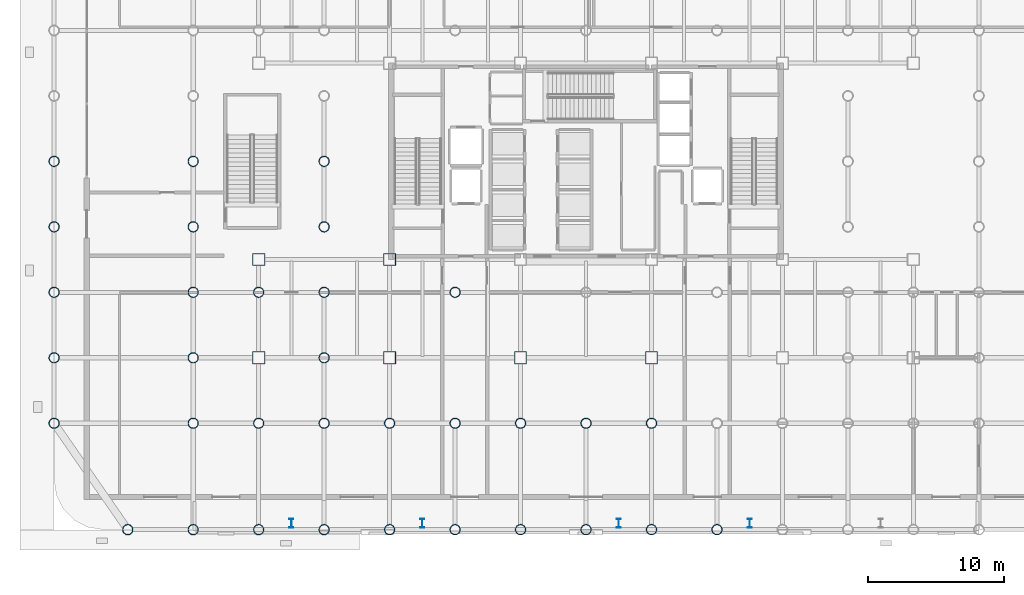
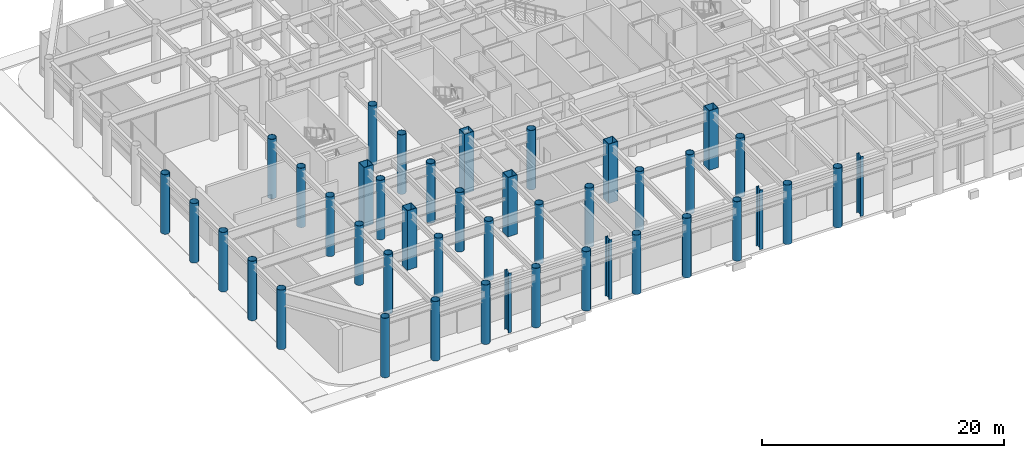
# One storey, part 2 of 23: 43 columns.
"""IFC4 building model written with IfcOpenShell, lengths in metres."""

import ifcopenshell
import ifcopenshell.guid

model = None  # the IFC model being written
_history = None  # IfcOwnerHistory: only IFC2X3 demands one
_inside = {}  # id of a spatial element -> (the spatial element, [elements in it])
_under = {}  # id of a project, library or spatial element -> (it, [spatial elements below it])
_declared = {}  # id of a project -> (the project, [libraries it declares])
_typed = {}  # id of a type object -> (the type object, [elements of that type])
_made_of = {}  # id of a material, layer set ... -> (it, [elements and type objects made of it])


def new_model(schema):
    """Start an empty IFC model of exactly this schema.

    Asked for "IFC4X3", IfcOpenShell would pick the latest addendum, in which some entities
    have other attributes; the version numbers below select the first issue.
    IFC2X3 requires an IfcOwnerHistory on every rooted entity: one is made here for all.
    """
    global model, _history
    if schema == "IFC4X3":
        model = ifcopenshell.file(schema_version=(4, 3, 0, 0))
    else:
        model = ifcopenshell.file(schema=schema)
    _inside.clear()
    _under.clear()
    _declared.clear()
    _typed.clear()
    _made_of.clear()
    _history = None
    if model.schema == "IFC2X3":
        org = make("IfcOrganization", Name="unknown")
        user = make(
            "IfcPersonAndOrganization",
            ThePerson=make("IfcPerson", FamilyName="unknown"),
            TheOrganization=org,
        )
        app = make(
            "IfcApplication",
            ApplicationDeveloper=org,
            Version="unknown",
            ApplicationFullName="unknown",
            ApplicationIdentifier="unknown",
        )
        _history = make(
            "IfcOwnerHistory",
            OwningUser=user,
            OwningApplication=app,
            ChangeAction="ADDED",
            CreationDate=0,
        )
    return model


def make(cls, **values):
    """One entity of the class cls with the attributes given. An attribute that is None is left unset."""
    return model.create_entity(
        cls, **{name: value for name, value in values.items() if value is not None}
    )


def rooted(cls, **values):
    """An entity with a GlobalId (a new one), such as an element, a storey or a relation."""
    return make(cls, GlobalId=ifcopenshell.guid.new(), OwnerHistory=_history, **values)


def si_unit(unit_type, name, prefix=None):
    """IfcSIUnit, for example si_unit("LENGTHUNIT", "METRE", prefix="MILLI")."""
    return make("IfcSIUnit", UnitType=unit_type, Prefix=prefix, Name=name)


def assignment(units):
    """IfcUnitAssignment: the units of a project."""
    return None if units is None else make("IfcUnitAssignment", Units=units)


def point(xyz):
    """IfcCartesianPoint."""
    return None if xyz is None else make("IfcCartesianPoint", Coordinates=xyz)


def direction(xyz):
    """IfcDirection."""
    return None if xyz is None else make("IfcDirection", DirectionRatios=xyz)


def frame(location, z_axis=None, x_axis=None):
    """IfcAxis2Placement3D, a coordinate frame: its origin and axes. An axis left out is left unset."""
    return make(
        "IfcAxis2Placement3D",
        Location=point(location),
        Axis=direction(z_axis),
        RefDirection=direction(x_axis),
    )


def frame_2d(location, x_axis=None):
    """IfcAxis2Placement2D, a coordinate frame in the plane: its origin and x axis."""
    return make(
        "IfcAxis2Placement2D", Location=point(location), RefDirection=direction(x_axis)
    )


def origin():
    """The frame at (0, 0, 0) with its axes left unset."""
    return frame((0.0, 0.0, 0.0))


def origin_2d():
    """The frame at (0, 0) in the plane with its x axis left unset."""
    return frame_2d((0.0, 0.0))


def place(relative_to, where):
    """IfcLocalPlacement: puts the frame where relative to a parent placement (None: the world)."""
    return make(
        "IfcLocalPlacement", PlacementRelTo=relative_to, RelativePlacement=where
    )


def context(
    kind, dimensions, precision=None, world=None, true_north=None, identifier=None
):
    """IfcGeometricRepresentationContext, for example the 3D "Model" context."""
    return make(
        "IfcGeometricRepresentationContext",
        ContextIdentifier=identifier,
        ContextType=kind,
        CoordinateSpaceDimension=dimensions,
        Precision=precision,
        WorldCoordinateSystem=world,
        TrueNorth=true_north,
    )


def subcontext(parent, identifier, kind, view, scale=None):
    """IfcGeometricRepresentationSubContext, for example "Body" below "Model"."""
    return make(
        "IfcGeometricRepresentationSubContext",
        ContextIdentifier=identifier,
        ContextType=kind,
        ParentContext=parent,
        TargetScale=scale,
        TargetView=view,
    )


def project(units=None, contexts=None):
    """IfcProject with its units and contexts."""
    return rooted(
        "IfcProject",
        Name="project",
        RepresentationContexts=contexts,
        UnitsInContext=assignment(units),
    )


def spatial(cls, under=None, at=None, **own):
    """A site, building, storey or space (cls), placed at a placement, below another one or the project."""
    s = rooted(cls, ObjectPlacement=at, **own)
    if under is not None:
        _under.setdefault(under.id(), (under, []))[1].append(s)
    return s


def profile(cls, at=None, kind="AREA", **sizes):
    """A parametric profile (cls). Its sizes go by their IFC names, for example OverallWidth=200.0."""
    return make(cls, ProfileType=kind, Position=at, **sizes)


def hollow_rectangle(**sizes):
    """IfcRectangleHollowProfileDef."""
    return profile("IfcRectangleHollowProfileDef", **sizes)


def hollow_circle(**sizes):
    """IfcCircleHollowProfileDef."""
    return profile("IfcCircleHollowProfileDef", **sizes)


def i_section(**sizes):
    """IfcIShapeProfileDef."""
    return profile("IfcIShapeProfileDef", **sizes)


def extrude(swept, where, along, depth):
    """IfcExtrudedAreaSolid: the profile swept, set in the frame where, extruded along a direction by depth."""
    return make(
        "IfcExtrudedAreaSolid",
        SweptArea=swept,
        Position=where,
        ExtrudedDirection=direction(along),
        Depth=depth,
    )


def shape(context_of_items, identifier, shape_type, items):
    """IfcShapeRepresentation: the items that make up one representation, for example the "Body"."""
    return make(
        "IfcShapeRepresentation",
        ContextOfItems=context_of_items,
        RepresentationIdentifier=identifier,
        RepresentationType=shape_type,
        Items=items,
    )


def material(Name=None, Category=None):
    """IfcMaterial."""
    return make("IfcMaterial", Name=Name, Category=Category)


def material_profile(
    of_material, cross_section, Name=None, Category=None, Priority=None
):
    """IfcMaterialProfile: a cross section and its material."""
    return make(
        "IfcMaterialProfile",
        Name=Name,
        Material=of_material,
        Profile=cross_section,
        Priority=Priority,
        Category=Category,
    )


def profile_set(profiles, Name=None, composite=None):
    """IfcMaterialProfileSet."""
    return make(
        "IfcMaterialProfileSet",
        Name=Name,
        MaterialProfiles=profiles,
        CompositeProfile=composite,
    )


def made_of(thing, what):
    """Note that an element or type object is made of a material, layer set ...; save() writes the relation."""
    if what is not None:
        _made_of.setdefault(what.id(), (what, []))[1].append(thing)
    return thing


def type_object(cls, material=None, **own):
    """A type object (cls), such as IfcWallType, which elements share."""
    return made_of(rooted(cls, **own), material)


def element(
    cls,
    number,
    at=None,
    inside=None,
    cuts=None,
    type_object=None,
    material=None,
    context=None,
    identifier="Body",
    shape_type=None,
    held_by="IfcProductDefinitionShape",
    body=None,
    shapes=None,
    **own,
):
    """One element of the class cls, such as IfcWall. Its Tag is "e" and its number.

    at: its placement. inside: the storey or other place that contains it. cuts: it is an
    opening in that element (IfcRelVoidsElement). A single representation is given by context,
    identifier, shape_type and body (its items); several are given by shapes. held_by: the class
    of the entity that holds the representations. save() writes the other relations.
    """
    e = rooted(cls, Tag="e%d" % number, ObjectPlacement=at, **own)
    if body is not None:
        shapes = [shape(context, identifier, shape_type, body)]
    if shapes is not None:
        e.Representation = make(held_by, Representations=shapes)
    if inside is not None:
        _inside.setdefault(inside.id(), (inside, []))[1].append(e)
    if cuts is not None:
        rooted(
            "IfcRelVoidsElement", RelatingBuildingElement=cuts, RelatedOpeningElement=e
        )
    if type_object is not None:
        _typed.setdefault(type_object.id(), (type_object, []))[1].append(e)
    return made_of(e, material)


def aggregate(whole, parts):
    """IfcRelAggregates: a whole, such as a stair, and the parts it consists of."""
    return rooted("IfcRelAggregates", RelatingObject=whole, RelatedObjects=parts)


def save(model, path):
    """Write the relations noted so far, then the file.

    IfcRelAggregates (storeys below a building ...), IfcRelContainedInSpatialStructure (elements
    in a storey), IfcRelDefinesByType, IfcRelAssociatesMaterial and IfcRelDeclares: one each for
    every whole, place, type object, material and project.
    """
    for whole, parts in _under.values():
        aggregate(whole, parts)
    for where, things in _inside.values():
        rooted(
            "IfcRelContainedInSpatialStructure",
            RelatedElements=things,
            RelatingStructure=where,
        )
    for kind, things in _typed.values():
        rooted("IfcRelDefinesByType", RelatedObjects=things, RelatingType=kind)
    for what, things in _made_of.values():
        rooted("IfcRelAssociatesMaterial", RelatedObjects=things, RelatingMaterial=what)
    for by, libraries in _declared.values():
        rooted("IfcRelDeclares", RelatingContext=by, RelatedDefinitions=libraries)
    model.write(path)


model = new_model("IFC4")

# Units and contexts
model_context = context("Model", 3, precision=1e-05, world=origin(), true_north=direction((0.0, 1.0)))
body_context = subcontext(model_context, "Body", "Model", "MODEL_VIEW")
ifc_project = project(units=[si_unit("LENGTHUNIT", "METRE"), si_unit("AREAUNIT", "SQUARE_METRE"), si_unit("VOLUMEUNIT", "CUBIC_METRE"), si_unit("PLANEANGLEUNIT", "RADIAN"), si_unit("MASSUNIT", "GRAM", prefix="KILO")], contexts=[model_context])

# Site, building, storey
site_placement = place(None, origin())
site = spatial("IfcSite", under=ifc_project, at=site_placement, CompositionType="ELEMENT")
building_placement = place(site_placement, origin())
building = spatial("IfcBuilding", under=site, at=building_placement, Name="Kallvorn Hotel Tower", CompositionType="ELEMENT")
storey_placement = place(building_placement, origin())
storey = spatial("IfcBuildingStorey", under=building, at=storey_placement, Name="L00", CompositionType="ELEMENT", Elevation=0.0)

# Columns
ifc_material_1 = material(Name="Structural steel S355J2H", Category="steel")
ifc_material_profile_1 = material_profile(ifc_material_1, hollow_circle(Radius=0.381103515625, WallThickness=0.031982421875, at=origin_2d()), Name="CHS 762x32")
ifc_profile_set_1 = profile_set([ifc_material_profile_1], Name="Structural steel S355J2H")
column_type_1 = type_object("IfcColumnType", Name="COL_CHS_762", PredefinedType="COLUMN", material=ifc_profile_set_1)
for number, where, z_axis, x_axis, name in (
    (1, (-39.0, -19.199951171875, 0.0), (0.0, 0.0, 1.0), (1.0, 0.0, 0.0), "L00 Exoskeleton Column EC01"),
    (2, (-39.0, -14.39990234375, 0.0), (0.0, 0.0, 1.0), (1.0, 0.0, 0.0), "L00 Exoskeleton Column EC02"),
    (3, (-39.0, -9.60009765625, 0.0), (0.0, 0.0, 1.0), (1.0, 0.0, 0.0), "L00 Exoskeleton Column EC03"),
    (4, (-39.0, -4.800048828125, 0.0), (0.0, 0.0, 1.0), (1.0, 0.0, 0.0), "L00 Exoskeleton Column EC04"),
    (5, (-39.0, 0.0, 0.0), (0.0, 0.0, 1.0), (1.0, 0.0, 0.0), "L00 Exoskeleton Column EC05"),
    (6, (-33.60009765625, -27.0, 0.0), (0.0, 0.0, 1.0), (1.0, 0.0, 0.0), "L00 Exoskeleton Column EC10"),
    (7, (-28.800048828125, -27.0, 0.0), (0.0, 0.0, 1.0), (1.0, 0.0, 0.0), "L00 Exoskeleton Column EC12"),
    (8, (-28.800048828125, -19.199951171875, 0.0), (0.0, 0.0, 1.0), (1.0, 0.0, 0.0), "L00 Exoskeleton Column EC13"),
    (9, (-28.800048828125, -14.39990234375, 0.0), (0.0, 0.0, 1.0), (1.0, 0.0, 0.0), "L00 Exoskeleton Column EC14"),
    (10, (-28.800048828125, -9.60009765625, 0.0), (0.0, 0.0, 1.0), (1.0, 0.0, 0.0), "L00 Exoskeleton Column EC15"),
    (11, (-28.800048828125, -4.800048828125, 0.0), (0.0, 0.0, 1.0), (1.0, 0.0, 0.0), "L00 Exoskeleton Column EC16"),
    (12, (-28.800048828125, 0.0, 0.0), (0.0, 0.0, 1.0), (1.0, 0.0, 0.0), "L00 Exoskeleton Column EC17"),
    (13, (-24.0, -27.0, 0.0), (0.0, 0.0, 1.0), (1.0, 0.0, 0.0), "L00 Exoskeleton Column EC23"),
    (14, (-24.0, -19.199951171875, 0.0), (0.0, 0.0, 1.0), (1.0, 0.0, 0.0), "L00 Exoskeleton Column EC24"),
    (15, (-24.0, -9.60009765625, 0.0), (0.0, 0.0, 1.0), (1.0, 0.0, 0.0), "L00 Exoskeleton Column EC25"),
    (16, (-19.199951171875, -27.0, 0.0), (0.0, 0.0, 1.0), (1.0, 0.0, 0.0), "L00 Exoskeleton Column EC29"),
    (17, (-19.199951171875, -19.199951171875, 0.0), (0.0, 0.0, 1.0), (1.0, 0.0, 0.0), "L00 Exoskeleton Column EC30"),
    (18, (-19.199951171875, -14.39990234375, 0.0), (0.0, 0.0, 1.0), (1.0, 0.0, 0.0), "L00 Exoskeleton Column EC31"),
    (19, (-19.199951171875, -9.60009765625, 0.0), (0.0, 0.0, 1.0), (1.0, 0.0, 0.0), "L00 Exoskeleton Column EC32"),
    (20, (-19.199951171875, -4.800048828125, 0.0), (0.0, 0.0, 1.0), (1.0, 0.0, 0.0), "L00 Exoskeleton Column EC33"),
    (21, (-19.199951171875, 0.0, 0.0), (0.0, 0.0, 1.0), (1.0, 0.0, 0.0), "L00 Exoskeleton Column EC34"),
    (22, (-14.39990234375, -27.0, 0.0), (0.0, 0.0, 1.0), (1.0, 0.0, 0.0), "L00 Exoskeleton Column EC40"),
    (23, (-14.39990234375, -19.199951171875, 0.0), (0.0, 0.0, 1.0), (1.0, 0.0, 0.0), "L00 Exoskeleton Column EC41"),
    (24, (-9.60009765625, -27.0, 0.0), (0.0, 0.0, 1.0), (1.0, 0.0, 0.0), "L00 Exoskeleton Column EC44"),
    (25, (-9.60009765625, -19.199951171875, 0.0), (0.0, 0.0, 1.0), (1.0, 0.0, 0.0), "L00 Exoskeleton Column EC45"),
    (26, (-9.60009765625, -9.60009765625, 0.0), (0.0, 0.0, 1.0), (1.0, 0.0, 0.0), "L00 Exoskeleton Column EC46"),
    (27, (-4.800048828125, -27.0, 0.0), (0.0, 0.0, 1.0), (1.0, 0.0, 0.0), "L00 Exoskeleton Column EC50"),
    (28, (-4.800048828125, -19.199951171875, 0.0), (0.0, 0.0, 1.0), (1.0, 0.0, 0.0), "L00 Exoskeleton Column EC51"),
    (29, (0.0, -27.0, 0.0), (0.0, 0.0, 1.0), (1.0, 0.0, 0.0), "L00 Exoskeleton Column EC54"),
    (30, (0.0, -19.199951171875, 0.0), (0.0, 0.0, 1.0), (1.0, 0.0, 0.0), "L00 Exoskeleton Column EC55"),
    (31, (4.800048828125, -27.0, 0.0), (0.0, 0.0, 1.0), (1.0, 0.0, 0.0), "L00 Exoskeleton Column EC60"),
    (32, (4.800048828125, -19.199951171875, 0.0), (0.0, 0.0, 1.0), (1.0, 0.0, 0.0), "L00 Exoskeleton Column EC61"),
    (33, (9.60009765625, -27.0, 0.0), (0.0, 0.0, 1.0), (1.0, 0.0, 0.0), "L00 Exoskeleton Column EC64"),
):
    element("IfcColumn", number, at=place(storey_placement, frame(where, z_axis=z_axis, x_axis=x_axis)), inside=storey, type_object=column_type_1, Name=name, PredefinedType="COLUMN", context=body_context, shape_type="SweptSolid", body=[
        extrude(hollow_circle(Radius=0.381103515625, WallThickness=0.031982421875, at=origin_2d()), origin(), (0.0, 0.0, 1.0), 6.0),
    ])
ifc_material_2 = material(Name="Structural steel S355J2H", Category="steel")
ifc_material_profile_2 = material_profile(ifc_material_2, hollow_rectangle(XDim=0.89990234375, YDim=0.89990234375, WallThickness=0.0400390625, at=origin_2d()), Name="RHS 900x900x40")
ifc_profile_set_2 = profile_set([ifc_material_profile_2], Name="Structural steel S355J2H")
column_type_2 = type_object("IfcColumnType", Name="COL_RHS_900", PredefinedType="COLUMN", material=ifc_profile_set_2)
for number, where, z_axis, x_axis, name in (
    (34, (-24.0, -14.39990234375, 0.0), (0.0, 0.0, 1.0), (1.0, 0.0, 0.0), "L00 Inner Column IC01"),
    (35, (-24.0, -7.199951171875, 0.0), (0.0, 0.0, 1.0), (1.0, 0.0, 0.0), "L00 Inner Column IC02"),
    (36, (-14.39990234375, -14.39990234375, 0.0), (0.0, 0.0, 1.0), (1.0, 0.0, 0.0), "L00 Inner Column IC05"),
    (37, (-14.39990234375, -7.199951171875, 0.0), (0.0, 0.0, 1.0), (1.0, 0.0, 0.0), "L00 Inner Column IC06"),
    (38, (-4.800048828125, -14.39990234375, 0.0), (0.0, 0.0, 1.0), (1.0, 0.0, 0.0), "L00 Inner Column IC09"),
    (39, (4.800048828125, -14.39990234375, 0.0), (0.0, 0.0, 1.0), (1.0, 0.0, 0.0), "L00 Inner Column IC13"),
):
    element("IfcColumn", number, at=place(storey_placement, frame(where, z_axis=z_axis, x_axis=x_axis)), inside=storey, type_object=column_type_2, Name=name, PredefinedType="COLUMN", context=body_context, shape_type="SweptSolid", body=[
        extrude(hollow_rectangle(XDim=0.89990234375, YDim=0.89990234375, WallThickness=0.0400390625, at=origin_2d()), origin(), (0.0, 0.0, 1.0), 6.0),
    ])
ifc_material_3 = material(Name="Structural steel S355JR", Category="steel")
ifc_material_profile_3 = material_profile(ifc_material_3, i_section(OverallWidth=0.300048828125, OverallDepth=0.64990234375, WebThickness=0.01611328125, FlangeThickness=0.031005859375, at=origin_2d()), Name="HE 650 B")
ifc_profile_set_3 = profile_set([ifc_material_profile_3], Name="Structural steel S355JR")
column_type_3 = type_object("IfcColumnType", Name="PILASTER_HE650B", PredefinedType="PILASTER", material=ifc_profile_set_3)
for number, where, z_axis, x_axis, name in (
    (40, (-21.60009765625, -26.52001953125, 0.0), (0.0, 0.0, 1.0), (1.0, 0.0, 0.0), "L00 Chicago Colonnade Pilaster 01"),
    (41, (-12.0, -26.52001953125, 0.0), (0.0, 0.0, 1.0), (1.0, 0.0, 0.0), "L00 Chicago Colonnade Pilaster 02"),
    (42, (2.39990234375, -26.52001953125, 0.0), (0.0, 0.0, 1.0), (1.0, 0.0, 0.0), "L00 Chicago Colonnade Pilaster 03"),
    (43, (12.0, -26.52001953125, 0.0), (0.0, 0.0, 1.0), (1.0, 0.0, 0.0), "L00 Chicago Colonnade Pilaster 04"),
):
    element("IfcColumn", number, at=place(storey_placement, frame(where, z_axis=z_axis, x_axis=x_axis)), inside=storey, type_object=column_type_3, Name=name, PredefinedType="PILASTER", context=body_context, shape_type="SweptSolid", body=[
        extrude(i_section(OverallWidth=0.300048828125, OverallDepth=0.64990234375, WebThickness=0.01611328125, FlangeThickness=0.031005859375, at=origin_2d()), origin(), (0.0, 0.0, 1.0), 6.0),
    ])

save(model, "model.ifc")
